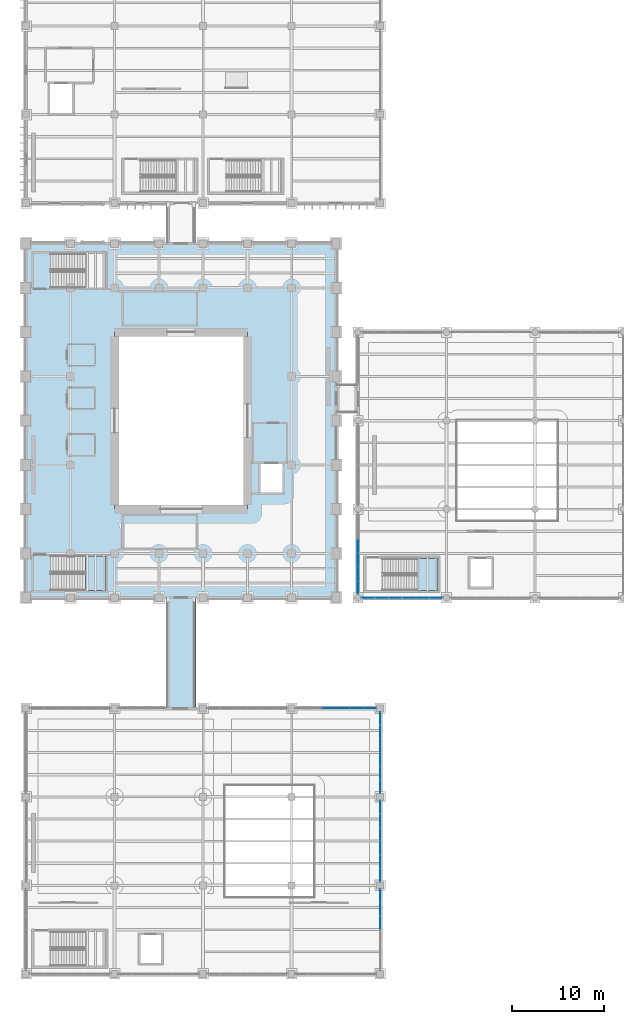
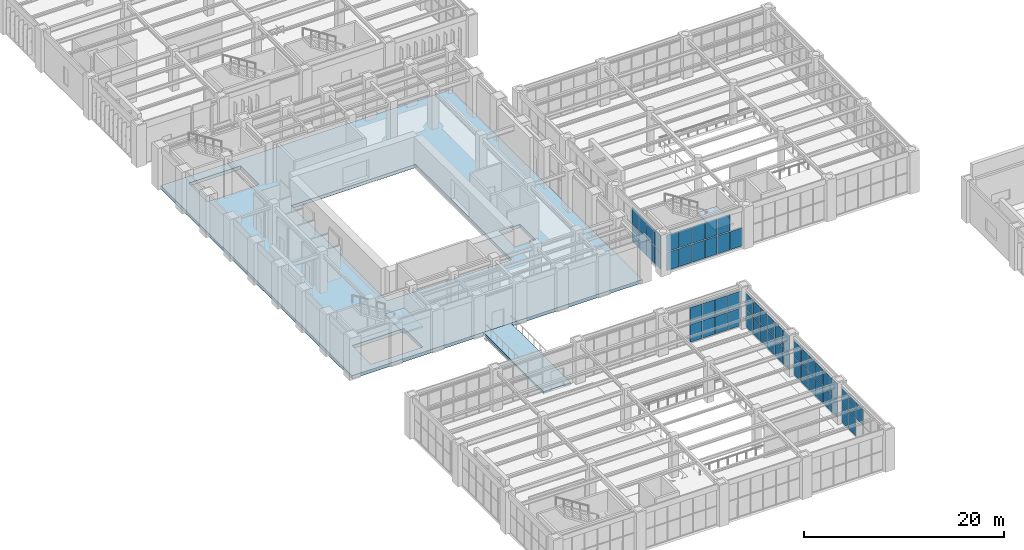
# One storey, part 124 of 174: 56 plates, 4 slabs, 8 elements without a shape of their own.
"""IFC4 building model written with IfcOpenShell, lengths in metres."""

from ifc_helpers import new_model, si_unit, direction, frame, origin, origin_2d, place, context, subcontext, project, spatial, polyline, rectangle, outline, extrude, material, layer, layer_set, type_object, element, aggregate, save


model = new_model("IFC4")

# Units and contexts
model_context = context("Model", 3, precision=1e-05, world=origin(), true_north=direction((0.0, 1.0)))
body_context = subcontext(model_context, "Body", "Model", "MODEL_VIEW")
ifc_project = project(units=[si_unit("LENGTHUNIT", "METRE"), si_unit("AREAUNIT", "SQUARE_METRE"), si_unit("VOLUMEUNIT", "CUBIC_METRE"), si_unit("PLANEANGLEUNIT", "RADIAN"), si_unit("MASSUNIT", "GRAM", prefix="KILO")], contexts=[model_context])

# Site, building, storey
site_placement = place(None, origin())
site = spatial("IfcSite", under=ifc_project, at=site_placement, CompositionType="ELEMENT")
building_placement = place(site_placement, origin())
building = spatial("IfcBuilding", under=site, at=building_placement, Name="Mavantir Sound Aquarium", CompositionType="ELEMENT")
storey_placement = place(building_placement, frame((0.0, 0.0, 5.39990234375)))
storey = spatial("IfcBuildingStorey", under=building, at=storey_placement, Name="L01", CompositionType="ELEMENT", Elevation=5.39990234375)

# Curtain wall, plates
ifc_material_1 = material(Name="Anodised Marine Aluminium and Low-E Glass", Category="aluminium")
curtain_wall_type_1 = type_object("IfcCurtainWallType", Name="CW-T15", PredefinedType="USERDEFINED", material=ifc_material_1)
curtain_wall_1_placement = place(storey_placement, origin())
curtain_wall_1 = element("IfcCurtainWall", 1, at=curtain_wall_1_placement, inside=storey, type_object=curtain_wall_type_1, Name="L01 unitised curtain wall CW-15 63", ObjectType="UNITISED GLAZING", PredefinedType="USERDEFINED")
ifc_material_2 = material(Name="Solar-Control Laminated Low-E Glass", Category="glass")
ifc_layer_1 = layer(ifc_material_2, 0.028076171875, Name="Solar-Control Laminated Low-E Glass")
ifc_layer_set_1 = layer_set([ifc_layer_1], Name="Solar-Control Laminated Low-E Glass")
plate_type_1 = type_object("IfcPlateType", Name="CW-PNL-28", PredefinedType="CURTAIN_PANEL", material=ifc_layer_set_1)
plate_1_placement = place(storey_placement, frame((36.0, 46.336181640625, 0.10302734375), z_axis=(0.0, 0.0, 1.0), x_axis=(0.0, -1.0, 0.0)))
plate_1 = element("IfcPlate", 2, at=plate_1_placement, type_object=plate_type_1, Name="CW-L01-063 glazed curtain panel 3.1", PredefinedType="CURTAIN_PANEL", context=body_context, shape_type="SweptSolid", body=[
    extrude(rectangle(XDim=1.42431640625, YDim=0.028076171875, at=origin_2d()), origin(), (0.0, 0.0, 1.0), 2.110595703125),
])
plate_2_placement = place(storey_placement, frame((36.0, 46.336181640625, 2.3095703125), z_axis=(0.0, 0.0, 1.0), x_axis=(0.0, -1.0, 0.0)))
plate_2 = element("IfcPlate", 3, at=plate_2_placement, type_object=plate_type_1, Name="CW-L01-063 glazed curtain panel 3.2", PredefinedType="CURTAIN_PANEL", context=body_context, shape_type="SweptSolid", body=[
    extrude(rectangle(XDim=1.42431640625, YDim=0.028076171875, at=origin_2d()), origin(), (0.0, 0.0, 1.0), 1.9365234375),
])
plate_3_placement = place(storey_placement, frame((36.0, 44.86376953125, 0.10302734375), z_axis=(0.0, 0.0, 1.0), x_axis=(0.0, -1.0, 0.0)))
plate_3 = element("IfcPlate", 4, at=plate_3_placement, type_object=plate_type_1, Name="CW-L01-063 glazed curtain panel 4.1", PredefinedType="CURTAIN_PANEL", context=body_context, shape_type="SweptSolid", body=[
    extrude(rectangle(XDim=1.42431640625, YDim=0.028076171875, at=origin_2d()), origin(), (0.0, 0.0, 1.0), 2.110595703125),
])
plate_4_placement = place(storey_placement, frame((36.0, 44.86376953125, 2.3095703125), z_axis=(0.0, 0.0, 1.0), x_axis=(0.0, -1.0, 0.0)))
plate_4 = element("IfcPlate", 5, at=plate_4_placement, type_object=plate_type_1, Name="CW-L01-063 glazed curtain panel 4.2", PredefinedType="CURTAIN_PANEL", context=body_context, shape_type="SweptSolid", body=[
    extrude(rectangle(XDim=1.42431640625, YDim=0.028076171875, at=origin_2d()), origin(), (0.0, 0.0, 1.0), 1.9365234375),
])
plate_5_placement = place(storey_placement, frame((36.0, 43.3916015625, 0.10302734375), z_axis=(0.0, 0.0, 1.0), x_axis=(0.0, -1.0, 0.0)))
plate_5 = element("IfcPlate", 6, at=plate_5_placement, type_object=plate_type_1, Name="CW-L01-063 glazed curtain panel 5.1", PredefinedType="CURTAIN_PANEL", context=body_context, shape_type="SweptSolid", body=[
    extrude(rectangle(XDim=1.42431640625, YDim=0.028076171875, at=origin_2d()), origin(), (0.0, 0.0, 1.0), 2.110595703125),
])
plate_6_placement = place(storey_placement, frame((36.0, 43.3916015625, 2.3095703125), z_axis=(0.0, 0.0, 1.0), x_axis=(0.0, -1.0, 0.0)))
plate_6 = element("IfcPlate", 7, at=plate_6_placement, type_object=plate_type_1, Name="CW-L01-063 glazed curtain panel 5.2", PredefinedType="CURTAIN_PANEL", context=body_context, shape_type="SweptSolid", body=[
    extrude(rectangle(XDim=1.42431640625, YDim=0.028076171875, at=origin_2d()), origin(), (0.0, 0.0, 1.0), 1.9365234375),
])
plate_7_placement = place(storey_placement, frame((36.0, 41.919189453125, 0.10302734375), z_axis=(0.0, 0.0, 1.0), x_axis=(0.0, -1.0, 0.0)))
plate_7 = element("IfcPlate", 8, at=plate_7_placement, type_object=plate_type_1, Name="CW-L01-063 glazed curtain panel 6.1", PredefinedType="CURTAIN_PANEL", context=body_context, shape_type="SweptSolid", body=[
    extrude(rectangle(XDim=1.42431640625, YDim=0.028076171875, at=origin_2d()), origin(), (0.0, 0.0, 1.0), 2.110595703125),
])
plate_8_placement = place(storey_placement, frame((36.0, 41.919189453125, 2.3095703125), z_axis=(0.0, 0.0, 1.0), x_axis=(0.0, -1.0, 0.0)))
plate_8 = element("IfcPlate", 9, at=plate_8_placement, type_object=plate_type_1, Name="CW-L01-063 glazed curtain panel 6.2", PredefinedType="CURTAIN_PANEL", context=body_context, shape_type="SweptSolid", body=[
    extrude(rectangle(XDim=1.42431640625, YDim=0.028076171875, at=origin_2d()), origin(), (0.0, 0.0, 1.0), 1.9365234375),
])
aggregate(curtain_wall_1, [plate_1, plate_2, plate_3, plate_4, plate_5, plate_6, plate_7, plate_8])

curtain_wall_type_2 = type_object("IfcCurtainWallType", Name="CW-T19", PredefinedType="USERDEFINED", material=ifc_material_1)
curtain_wall_2_placement = place(storey_placement, origin())
curtain_wall_2 = element("IfcCurtainWall", 10, at=curtain_wall_2_placement, inside=storey, type_object=curtain_wall_type_2, Name="L01 unitised curtain wall CW-19 67", ObjectType="UNITISED GLAZING", PredefinedType="USERDEFINED")
plate_9_placement = place(storey_placement, frame((38.39990234375, 5.5361328125, 2.3095703125), z_axis=(0.0, 0.0, 1.0), x_axis=(0.0, 1.0, 0.0)))
plate_9 = element("IfcPlate", 11, at=plate_9_placement, type_object=plate_type_1, Name="CW-L01-067 glazed curtain panel 4.2", PredefinedType="CURTAIN_PANEL", context=body_context, shape_type="SweptSolid", body=[
    extrude(rectangle(XDim=1.42431640625, YDim=0.028076171875, at=origin_2d()), origin(), (0.0, 0.0, 1.0), 1.9365234375),
])
plate_10_placement = place(storey_placement, frame((38.39990234375, 7.008544921875, 0.10302734375), z_axis=(0.0, 0.0, 1.0), x_axis=(0.0, 1.0, 0.0)))
plate_10 = element("IfcPlate", 12, at=plate_10_placement, type_object=plate_type_1, Name="CW-L01-067 glazed curtain panel 5.1", PredefinedType="CURTAIN_PANEL", context=body_context, shape_type="SweptSolid", body=[
    extrude(rectangle(XDim=1.42431640625, YDim=0.028076171875, at=origin_2d()), origin(), (0.0, 0.0, 1.0), 2.110595703125),
])
plate_11_placement = place(storey_placement, frame((38.39990234375, 7.008544921875, 2.3095703125), z_axis=(0.0, 0.0, 1.0), x_axis=(0.0, 1.0, 0.0)))
plate_11 = element("IfcPlate", 13, at=plate_11_placement, type_object=plate_type_1, Name="CW-L01-067 glazed curtain panel 5.2", PredefinedType="CURTAIN_PANEL", context=body_context, shape_type="SweptSolid", body=[
    extrude(rectangle(XDim=1.42431640625, YDim=0.028076171875, at=origin_2d()), origin(), (0.0, 0.0, 1.0), 1.9365234375),
])
plate_12_placement = place(storey_placement, frame((38.39990234375, 8.480712890625, 0.10302734375), z_axis=(0.0, 0.0, 1.0), x_axis=(0.0, 1.0, 0.0)))
plate_12 = element("IfcPlate", 14, at=plate_12_placement, type_object=plate_type_1, Name="CW-L01-067 glazed curtain panel 6.1", PredefinedType="CURTAIN_PANEL", context=body_context, shape_type="SweptSolid", body=[
    extrude(rectangle(XDim=1.42431640625, YDim=0.028076171875, at=origin_2d()), origin(), (0.0, 0.0, 1.0), 2.110595703125),
])
plate_13_placement = place(storey_placement, frame((38.39990234375, 8.480712890625, 2.3095703125), z_axis=(0.0, 0.0, 1.0), x_axis=(0.0, 1.0, 0.0)))
plate_13 = element("IfcPlate", 15, at=plate_13_placement, type_object=plate_type_1, Name="CW-L01-067 glazed curtain panel 6.2", PredefinedType="CURTAIN_PANEL", context=body_context, shape_type="SweptSolid", body=[
    extrude(rectangle(XDim=1.42431640625, YDim=0.028076171875, at=origin_2d()), origin(), (0.0, 0.0, 1.0), 1.9365234375),
])
aggregate(curtain_wall_2, [plate_9, plate_10, plate_11, plate_12, plate_13])

curtain_wall_type_3 = type_object("IfcCurtainWallType", Name="CW-T21", PredefinedType="USERDEFINED", material=ifc_material_1)
curtain_wall_3_placement = place(storey_placement, origin())
curtain_wall_3 = element("IfcCurtainWall", 16, at=curtain_wall_3_placement, inside=storey, type_object=curtain_wall_type_3, Name="L01 unitised curtain wall CW-21 69", ObjectType="UNITISED GLAZING", PredefinedType="USERDEFINED")
plate_14_placement = place(storey_placement, frame((38.39990234375, 20.319091796875, 0.10302734375), z_axis=(0.0, 0.0, 1.0), x_axis=(0.0, 1.0, 0.0)))
plate_14 = element("IfcPlate", 17, at=plate_14_placement, type_object=plate_type_1, Name="CW-L01-069 glazed curtain panel 1.1", PredefinedType="CURTAIN_PANEL", context=body_context, shape_type="SweptSolid", body=[
    extrude(rectangle(XDim=1.42431640625, YDim=0.028076171875, at=origin_2d()), origin(), (0.0, 0.0, 1.0), 2.10009765625),
])
plate_15_placement = place(storey_placement, frame((38.39990234375, 20.319091796875, 2.29931640625), z_axis=(0.0, 0.0, 1.0), x_axis=(0.0, 1.0, 0.0)))
plate_15 = element("IfcPlate", 18, at=plate_15_placement, type_object=plate_type_1, Name="CW-L01-069 glazed curtain panel 1.2", PredefinedType="CURTAIN_PANEL", context=body_context, shape_type="SweptSolid", body=[
    extrude(rectangle(XDim=1.42431640625, YDim=0.028076171875, at=origin_2d()), origin(), (0.0, 0.0, 1.0), 1.927001953125),
])
plate_16_placement = place(storey_placement, frame((38.39990234375, 21.79150390625, 0.10302734375), z_axis=(0.0, 0.0, 1.0), x_axis=(0.0, 1.0, 0.0)))
plate_16 = element("IfcPlate", 19, at=plate_16_placement, type_object=plate_type_1, Name="CW-L01-069 glazed curtain panel 2.1", PredefinedType="CURTAIN_PANEL", context=body_context, shape_type="SweptSolid", body=[
    extrude(rectangle(XDim=1.42431640625, YDim=0.028076171875, at=origin_2d()), origin(), (0.0, 0.0, 1.0), 2.10009765625),
])
plate_17_placement = place(storey_placement, frame((38.39990234375, 21.79150390625, 2.29931640625), z_axis=(0.0, 0.0, 1.0), x_axis=(0.0, 1.0, 0.0)))
plate_17 = element("IfcPlate", 20, at=plate_17_placement, type_object=plate_type_1, Name="CW-L01-069 glazed curtain panel 2.2", PredefinedType="CURTAIN_PANEL", context=body_context, shape_type="SweptSolid", body=[
    extrude(rectangle(XDim=1.42431640625, YDim=0.028076171875, at=origin_2d()), origin(), (0.0, 0.0, 1.0), 1.927001953125),
])
plate_18_placement = place(storey_placement, frame((38.39990234375, 23.263916015625, 0.10302734375), z_axis=(0.0, 0.0, 1.0), x_axis=(0.0, 1.0, 0.0)))
plate_18 = element("IfcPlate", 21, at=plate_18_placement, type_object=plate_type_1, Name="CW-L01-069 glazed curtain panel 3.1", PredefinedType="CURTAIN_PANEL", context=body_context, shape_type="SweptSolid", body=[
    extrude(rectangle(XDim=1.42431640625, YDim=0.028076171875, at=origin_2d()), origin(), (0.0, 0.0, 1.0), 2.10009765625),
])
plate_19_placement = place(storey_placement, frame((38.39990234375, 23.263916015625, 2.29931640625), z_axis=(0.0, 0.0, 1.0), x_axis=(0.0, 1.0, 0.0)))
plate_19 = element("IfcPlate", 22, at=plate_19_placement, type_object=plate_type_1, Name="CW-L01-069 glazed curtain panel 3.2", PredefinedType="CURTAIN_PANEL", context=body_context, shape_type="SweptSolid", body=[
    extrude(rectangle(XDim=1.42431640625, YDim=0.028076171875, at=origin_2d()), origin(), (0.0, 0.0, 1.0), 1.927001953125),
])
plate_20_placement = place(storey_placement, frame((38.39990234375, 24.736083984375, 0.10302734375), z_axis=(0.0, 0.0, 1.0), x_axis=(0.0, 1.0, 0.0)))
plate_20 = element("IfcPlate", 23, at=plate_20_placement, type_object=plate_type_1, Name="CW-L01-069 glazed curtain panel 4.1", PredefinedType="CURTAIN_PANEL", context=body_context, shape_type="SweptSolid", body=[
    extrude(rectangle(XDim=1.42431640625, YDim=0.028076171875, at=origin_2d()), origin(), (0.0, 0.0, 1.0), 2.10009765625),
])
plate_21_placement = place(storey_placement, frame((38.39990234375, 24.736083984375, 2.29931640625), z_axis=(0.0, 0.0, 1.0), x_axis=(0.0, 1.0, 0.0)))
plate_21 = element("IfcPlate", 24, at=plate_21_placement, type_object=plate_type_1, Name="CW-L01-069 glazed curtain panel 4.2", PredefinedType="CURTAIN_PANEL", context=body_context, shape_type="SweptSolid", body=[
    extrude(rectangle(XDim=1.42431640625, YDim=0.028076171875, at=origin_2d()), origin(), (0.0, 0.0, 1.0), 1.927001953125),
])
plate_22_placement = place(storey_placement, frame((38.39990234375, 26.20849609375, 0.10302734375), z_axis=(0.0, 0.0, 1.0), x_axis=(0.0, 1.0, 0.0)))
plate_22 = element("IfcPlate", 25, at=plate_22_placement, type_object=plate_type_1, Name="CW-L01-069 glazed curtain panel 5.1", PredefinedType="CURTAIN_PANEL", context=body_context, shape_type="SweptSolid", body=[
    extrude(rectangle(XDim=1.42431640625, YDim=0.028076171875, at=origin_2d()), origin(), (0.0, 0.0, 1.0), 2.10009765625),
])
plate_23_placement = place(storey_placement, frame((38.39990234375, 26.20849609375, 2.29931640625), z_axis=(0.0, 0.0, 1.0), x_axis=(0.0, 1.0, 0.0)))
plate_23 = element("IfcPlate", 26, at=plate_23_placement, type_object=plate_type_1, Name="CW-L01-069 glazed curtain panel 5.2", PredefinedType="CURTAIN_PANEL", context=body_context, shape_type="SweptSolid", body=[
    extrude(rectangle(XDim=1.42431640625, YDim=0.028076171875, at=origin_2d()), origin(), (0.0, 0.0, 1.0), 1.927001953125),
])
plate_24_placement = place(storey_placement, frame((38.39990234375, 27.680908203125, 0.10302734375), z_axis=(0.0, 0.0, 1.0), x_axis=(0.0, 1.0, 0.0)))
plate_24 = element("IfcPlate", 27, at=plate_24_placement, type_object=plate_type_1, Name="CW-L01-069 glazed curtain panel 6.1", PredefinedType="CURTAIN_PANEL", context=body_context, shape_type="SweptSolid", body=[
    extrude(rectangle(XDim=1.42431640625, YDim=0.028076171875, at=origin_2d()), origin(), (0.0, 0.0, 1.0), 2.10009765625),
])
plate_25_placement = place(storey_placement, frame((38.39990234375, 27.680908203125, 2.29931640625), z_axis=(0.0, 0.0, 1.0), x_axis=(0.0, 1.0, 0.0)))
plate_25 = element("IfcPlate", 28, at=plate_25_placement, type_object=plate_type_1, Name="CW-L01-069 glazed curtain panel 6.2", PredefinedType="CURTAIN_PANEL", context=body_context, shape_type="SweptSolid", body=[
    extrude(rectangle(XDim=1.42431640625, YDim=0.028076171875, at=origin_2d()), origin(), (0.0, 0.0, 1.0), 1.927001953125),
])
aggregate(curtain_wall_3, [plate_14, plate_15, plate_16, plate_17, plate_18, plate_19, plate_20, plate_21, plate_22, plate_23, plate_24, plate_25])

curtain_wall_type_4 = type_object("IfcCurtainWallType", Name="CW-T16", PredefinedType="USERDEFINED", material=ifc_material_1)
curtain_wall_4_placement = place(storey_placement, origin())
curtain_wall_4 = element("IfcCurtainWall", 29, at=curtain_wall_4_placement, inside=storey, type_object=curtain_wall_type_4, Name="L01 unitised curtain wall CW-16 64", ObjectType="UNITISED GLAZING", PredefinedType="USERDEFINED")
ifc_layer_2 = layer(ifc_material_2, 0.031982421875, Name="Solar-Control Laminated Low-E Glass")
ifc_layer_set_2 = layer_set([ifc_layer_2], Name="Solar-Control Laminated Low-E Glass")
plate_type_2 = type_object("IfcPlateType", Name="CW-PNL-32", PredefinedType="CURTAIN_PANEL", material=ifc_layer_set_2)
plate_26_placement = place(storey_placement, frame((37.119140625, 40.800048828125, 0.103271484375), z_axis=(0.0, 0.0, 1.0), x_axis=(1.0, 0.0, 0.0)))
plate_26 = element("IfcPlate", 30, at=plate_26_placement, type_object=plate_type_2, Name="CW-L01-064 glazed curtain panel 1.1", PredefinedType="CURTAIN_PANEL", context=body_context, shape_type="SweptSolid", body=[
    extrude(rectangle(XDim=1.42431640625, YDim=0.031982421875, at=origin_2d()), origin(), (0.0, 0.0, 1.0), 2.2216796875),
])
plate_27_placement = place(storey_placement, frame((37.119140625, 40.800048828125, 2.4208984375), z_axis=(0.0, 0.0, 1.0), x_axis=(1.0, 0.0, 0.0)))
plate_27 = element("IfcPlate", 31, at=plate_27_placement, type_object=plate_type_2, Name="CW-L01-064 glazed curtain panel 1.2", PredefinedType="CURTAIN_PANEL", context=body_context, shape_type="SweptSolid", body=[
    extrude(rectangle(XDim=1.42431640625, YDim=0.031982421875, at=origin_2d()), origin(), (0.0, 0.0, 1.0), 2.039306640625),
])
plate_28_placement = place(storey_placement, frame((38.591552734375, 40.800048828125, 0.103271484375), z_axis=(0.0, 0.0, 1.0), x_axis=(1.0, 0.0, 0.0)))
plate_28 = element("IfcPlate", 32, at=plate_28_placement, type_object=plate_type_2, Name="CW-L01-064 glazed curtain panel 2.1", PredefinedType="CURTAIN_PANEL", context=body_context, shape_type="SweptSolid", body=[
    extrude(rectangle(XDim=1.42431640625, YDim=0.031982421875, at=origin_2d()), origin(), (0.0, 0.0, 1.0), 2.2216796875),
])
plate_29_placement = place(storey_placement, frame((38.591552734375, 40.800048828125, 2.4208984375), z_axis=(0.0, 0.0, 1.0), x_axis=(1.0, 0.0, 0.0)))
plate_29 = element("IfcPlate", 33, at=plate_29_placement, type_object=plate_type_2, Name="CW-L01-064 glazed curtain panel 2.2", PredefinedType="CURTAIN_PANEL", context=body_context, shape_type="SweptSolid", body=[
    extrude(rectangle(XDim=1.42431640625, YDim=0.031982421875, at=origin_2d()), origin(), (0.0, 0.0, 1.0), 2.039306640625),
])
plate_30_placement = place(storey_placement, frame((40.063720703125, 40.800048828125, 0.103271484375), z_axis=(0.0, 0.0, 1.0), x_axis=(1.0, 0.0, 0.0)))
plate_30 = element("IfcPlate", 34, at=plate_30_placement, type_object=plate_type_2, Name="CW-L01-064 glazed curtain panel 3.1", PredefinedType="CURTAIN_PANEL", context=body_context, shape_type="SweptSolid", body=[
    extrude(rectangle(XDim=1.42431640625, YDim=0.031982421875, at=origin_2d()), origin(), (0.0, 0.0, 1.0), 2.2216796875),
])
plate_31_placement = place(storey_placement, frame((40.063720703125, 40.800048828125, 2.4208984375), z_axis=(0.0, 0.0, 1.0), x_axis=(1.0, 0.0, 0.0)))
plate_31 = element("IfcPlate", 35, at=plate_31_placement, type_object=plate_type_2, Name="CW-L01-064 glazed curtain panel 3.2", PredefinedType="CURTAIN_PANEL", context=body_context, shape_type="SweptSolid", body=[
    extrude(rectangle(XDim=1.42431640625, YDim=0.031982421875, at=origin_2d()), origin(), (0.0, 0.0, 1.0), 2.039306640625),
])
plate_32_placement = place(storey_placement, frame((41.5361328125, 40.800048828125, 0.103271484375), z_axis=(0.0, 0.0, 1.0), x_axis=(1.0, 0.0, 0.0)))
plate_32 = element("IfcPlate", 36, at=plate_32_placement, type_object=plate_type_2, Name="CW-L01-064 glazed curtain panel 4.1", PredefinedType="CURTAIN_PANEL", context=body_context, shape_type="SweptSolid", body=[
    extrude(rectangle(XDim=1.42431640625, YDim=0.031982421875, at=origin_2d()), origin(), (0.0, 0.0, 1.0), 2.2216796875),
])
plate_33_placement = place(storey_placement, frame((41.5361328125, 40.800048828125, 2.4208984375), z_axis=(0.0, 0.0, 1.0), x_axis=(1.0, 0.0, 0.0)))
plate_33 = element("IfcPlate", 37, at=plate_33_placement, type_object=plate_type_2, Name="CW-L01-064 glazed curtain panel 4.2", PredefinedType="CURTAIN_PANEL", context=body_context, shape_type="SweptSolid", body=[
    extrude(rectangle(XDim=1.42431640625, YDim=0.031982421875, at=origin_2d()), origin(), (0.0, 0.0, 1.0), 2.039306640625),
])
plate_34_placement = place(storey_placement, frame((43.008544921875, 40.800048828125, 0.103271484375), z_axis=(0.0, 0.0, 1.0), x_axis=(1.0, 0.0, 0.0)))
plate_34 = element("IfcPlate", 38, at=plate_34_placement, type_object=plate_type_2, Name="CW-L01-064 glazed curtain panel 5.1", PredefinedType="CURTAIN_PANEL", context=body_context, shape_type="SweptSolid", body=[
    extrude(rectangle(XDim=1.42431640625, YDim=0.031982421875, at=origin_2d()), origin(), (0.0, 0.0, 1.0), 2.2216796875),
])
plate_35_placement = place(storey_placement, frame((43.008544921875, 40.800048828125, 2.4208984375), z_axis=(0.0, 0.0, 1.0), x_axis=(1.0, 0.0, 0.0)))
plate_35 = element("IfcPlate", 39, at=plate_35_placement, type_object=plate_type_2, Name="CW-L01-064 glazed curtain panel 5.2", PredefinedType="CURTAIN_PANEL", context=body_context, shape_type="SweptSolid", body=[
    extrude(rectangle(XDim=1.42431640625, YDim=0.031982421875, at=origin_2d()), origin(), (0.0, 0.0, 1.0), 2.039306640625),
])
plate_36_placement = place(storey_placement, frame((44.480712890625, 40.800048828125, 0.103271484375), z_axis=(0.0, 0.0, 1.0), x_axis=(1.0, 0.0, 0.0)))
plate_36 = element("IfcPlate", 40, at=plate_36_placement, type_object=plate_type_2, Name="CW-L01-064 glazed curtain panel 6.1", PredefinedType="CURTAIN_PANEL", context=body_context, shape_type="SweptSolid", body=[
    extrude(rectangle(XDim=1.42431640625, YDim=0.031982421875, at=origin_2d()), origin(), (0.0, 0.0, 1.0), 2.2216796875),
])
aggregate(curtain_wall_4, [plate_26, plate_27, plate_28, plate_29, plate_30, plate_31, plate_32, plate_33, plate_34, plate_35, plate_36])

curtain_wall_type_5 = type_object("IfcCurtainWallType", Name="CW-T20", PredefinedType="USERDEFINED", material=ifc_material_1)
curtain_wall_5_placement = place(storey_placement, origin())
curtain_wall_5 = element("IfcCurtainWall", 41, at=curtain_wall_5_placement, inside=storey, type_object=curtain_wall_type_5, Name="L01 unitised curtain wall CW-20 68", ObjectType="UNITISED GLAZING", PredefinedType="USERDEFINED")
plate_37_placement = place(storey_placement, frame((38.39990234375, 10.71923828125, 0.10302734375), z_axis=(0.0, 0.0, 1.0), x_axis=(0.0, 1.0, 0.0)))
plate_37 = element("IfcPlate", 42, at=plate_37_placement, type_object=plate_type_2, Name="CW-L01-068 glazed curtain panel 1.1", PredefinedType="CURTAIN_PANEL", context=body_context, shape_type="SweptSolid", body=[
    extrude(rectangle(XDim=1.42431640625, YDim=0.031982421875, at=origin_2d()), origin(), (0.0, 0.0, 1.0), 2.110595703125),
])
plate_38_placement = place(storey_placement, frame((38.39990234375, 10.71923828125, 2.3095703125), z_axis=(0.0, 0.0, 1.0), x_axis=(0.0, 1.0, 0.0)))
plate_38 = element("IfcPlate", 43, at=plate_38_placement, type_object=plate_type_2, Name="CW-L01-068 glazed curtain panel 1.2", PredefinedType="CURTAIN_PANEL", context=body_context, shape_type="SweptSolid", body=[
    extrude(rectangle(XDim=1.42431640625, YDim=0.031982421875, at=origin_2d()), origin(), (0.0, 0.0, 1.0), 1.9365234375),
])
plate_39_placement = place(storey_placement, frame((38.39990234375, 12.19140625, 0.10302734375), z_axis=(0.0, 0.0, 1.0), x_axis=(0.0, 1.0, 0.0)))
plate_39 = element("IfcPlate", 44, at=plate_39_placement, type_object=plate_type_2, Name="CW-L01-068 glazed curtain panel 2.1", PredefinedType="CURTAIN_PANEL", context=body_context, shape_type="SweptSolid", body=[
    extrude(rectangle(XDim=1.42431640625, YDim=0.031982421875, at=origin_2d()), origin(), (0.0, 0.0, 1.0), 2.110595703125),
])
plate_40_placement = place(storey_placement, frame((38.39990234375, 12.19140625, 2.3095703125), z_axis=(0.0, 0.0, 1.0), x_axis=(0.0, 1.0, 0.0)))
plate_40 = element("IfcPlate", 45, at=plate_40_placement, type_object=plate_type_2, Name="CW-L01-068 glazed curtain panel 2.2", PredefinedType="CURTAIN_PANEL", context=body_context, shape_type="SweptSolid", body=[
    extrude(rectangle(XDim=1.42431640625, YDim=0.031982421875, at=origin_2d()), origin(), (0.0, 0.0, 1.0), 1.9365234375),
])
plate_41_placement = place(storey_placement, frame((38.39990234375, 13.663818359375, 0.10302734375), z_axis=(0.0, 0.0, 1.0), x_axis=(0.0, 1.0, 0.0)))
plate_41 = element("IfcPlate", 46, at=plate_41_placement, type_object=plate_type_2, Name="CW-L01-068 glazed curtain panel 3.1", PredefinedType="CURTAIN_PANEL", context=body_context, shape_type="SweptSolid", body=[
    extrude(rectangle(XDim=1.42431640625, YDim=0.031982421875, at=origin_2d()), origin(), (0.0, 0.0, 1.0), 2.110595703125),
])
plate_42_placement = place(storey_placement, frame((38.39990234375, 13.663818359375, 2.3095703125), z_axis=(0.0, 0.0, 1.0), x_axis=(0.0, 1.0, 0.0)))
plate_42 = element("IfcPlate", 47, at=plate_42_placement, type_object=plate_type_2, Name="CW-L01-068 glazed curtain panel 3.2", PredefinedType="CURTAIN_PANEL", context=body_context, shape_type="SweptSolid", body=[
    extrude(rectangle(XDim=1.42431640625, YDim=0.031982421875, at=origin_2d()), origin(), (0.0, 0.0, 1.0), 1.9365234375),
])
plate_43_placement = place(storey_placement, frame((38.39990234375, 15.13623046875, 0.10302734375), z_axis=(0.0, 0.0, 1.0), x_axis=(0.0, 1.0, 0.0)))
plate_43 = element("IfcPlate", 48, at=plate_43_placement, type_object=plate_type_2, Name="CW-L01-068 glazed curtain panel 4.1", PredefinedType="CURTAIN_PANEL", context=body_context, shape_type="SweptSolid", body=[
    extrude(rectangle(XDim=1.42431640625, YDim=0.031982421875, at=origin_2d()), origin(), (0.0, 0.0, 1.0), 2.110595703125),
])
plate_44_placement = place(storey_placement, frame((38.39990234375, 15.13623046875, 2.3095703125), z_axis=(0.0, 0.0, 1.0), x_axis=(0.0, 1.0, 0.0)))
plate_44 = element("IfcPlate", 49, at=plate_44_placement, type_object=plate_type_2, Name="CW-L01-068 glazed curtain panel 4.2", PredefinedType="CURTAIN_PANEL", context=body_context, shape_type="SweptSolid", body=[
    extrude(rectangle(XDim=1.42431640625, YDim=0.031982421875, at=origin_2d()), origin(), (0.0, 0.0, 1.0), 1.9365234375),
])
plate_45_placement = place(storey_placement, frame((38.39990234375, 16.6083984375, 0.10302734375), z_axis=(0.0, 0.0, 1.0), x_axis=(0.0, 1.0, 0.0)))
plate_45 = element("IfcPlate", 50, at=plate_45_placement, type_object=plate_type_2, Name="CW-L01-068 glazed curtain panel 5.1", PredefinedType="CURTAIN_PANEL", context=body_context, shape_type="SweptSolid", body=[
    extrude(rectangle(XDim=1.42431640625, YDim=0.031982421875, at=origin_2d()), origin(), (0.0, 0.0, 1.0), 2.110595703125),
])
plate_46_placement = place(storey_placement, frame((38.39990234375, 16.6083984375, 2.3095703125), z_axis=(0.0, 0.0, 1.0), x_axis=(0.0, 1.0, 0.0)))
plate_46 = element("IfcPlate", 51, at=plate_46_placement, type_object=plate_type_2, Name="CW-L01-068 glazed curtain panel 5.2", PredefinedType="CURTAIN_PANEL", context=body_context, shape_type="SweptSolid", body=[
    extrude(rectangle(XDim=1.42431640625, YDim=0.031982421875, at=origin_2d()), origin(), (0.0, 0.0, 1.0), 1.9365234375),
])
plate_47_placement = place(storey_placement, frame((38.39990234375, 18.080810546875, 0.10302734375), z_axis=(0.0, 0.0, 1.0), x_axis=(0.0, 1.0, 0.0)))
plate_47 = element("IfcPlate", 52, at=plate_47_placement, type_object=plate_type_2, Name="CW-L01-068 glazed curtain panel 6.1", PredefinedType="CURTAIN_PANEL", context=body_context, shape_type="SweptSolid", body=[
    extrude(rectangle(XDim=1.42431640625, YDim=0.031982421875, at=origin_2d()), origin(), (0.0, 0.0, 1.0), 2.110595703125),
])
plate_48_placement = place(storey_placement, frame((38.39990234375, 18.080810546875, 2.3095703125), z_axis=(0.0, 0.0, 1.0), x_axis=(0.0, 1.0, 0.0)))
plate_48 = element("IfcPlate", 53, at=plate_48_placement, type_object=plate_type_2, Name="CW-L01-068 glazed curtain panel 6.2", PredefinedType="CURTAIN_PANEL", context=body_context, shape_type="SweptSolid", body=[
    extrude(rectangle(XDim=1.42431640625, YDim=0.031982421875, at=origin_2d()), origin(), (0.0, 0.0, 1.0), 1.9365234375),
])
aggregate(curtain_wall_5, [plate_37, plate_38, plate_39, plate_40, plate_41, plate_42, plate_43, plate_44, plate_45, plate_46, plate_47, plate_48])

curtain_wall_type_6 = type_object("IfcCurtainWallType", Name="CW-T22", PredefinedType="USERDEFINED", material=ifc_material_1)
curtain_wall_6_placement = place(storey_placement, origin())
curtain_wall_6 = element("IfcCurtainWall", 54, at=curtain_wall_6_placement, inside=storey, type_object=curtain_wall_type_6, Name="L01 unitised curtain wall CW-22 70", ObjectType="UNITISED GLAZING", PredefinedType="USERDEFINED")
plate_49_placement = place(storey_placement, frame((37.28076171875, 28.800048828125, 0.10302734375), z_axis=(0.0, 0.0, 1.0), x_axis=(-1.0, 0.0, 0.0)))
plate_49 = element("IfcPlate", 55, at=plate_49_placement, type_object=plate_type_2, Name="CW-L01-070 glazed curtain panel 1.1", PredefinedType="CURTAIN_PANEL", context=body_context, shape_type="SweptSolid", body=[
    extrude(rectangle(XDim=1.42431640625, YDim=0.031982421875, at=origin_2d()), origin(), (0.0, 0.0, 1.0), 2.15673828125),
])
plate_50_placement = place(storey_placement, frame((37.28076171875, 28.800048828125, 2.35595703125), z_axis=(0.0, 0.0, 1.0), x_axis=(-1.0, 0.0, 0.0)))
plate_50 = element("IfcPlate", 56, at=plate_50_placement, type_object=plate_type_2, Name="CW-L01-070 glazed curtain panel 1.2", PredefinedType="CURTAIN_PANEL", context=body_context, shape_type="SweptSolid", body=[
    extrude(rectangle(XDim=1.42431640625, YDim=0.031982421875, at=origin_2d()), origin(), (0.0, 0.0, 1.0), 1.979248046875),
])
plate_51_placement = place(storey_placement, frame((35.80859375, 28.800048828125, 0.10302734375), z_axis=(0.0, 0.0, 1.0), x_axis=(-1.0, 0.0, 0.0)))
plate_51 = element("IfcPlate", 57, at=plate_51_placement, type_object=plate_type_2, Name="CW-L01-070 glazed curtain panel 2.1", PredefinedType="CURTAIN_PANEL", context=body_context, shape_type="SweptSolid", body=[
    extrude(rectangle(XDim=1.42431640625, YDim=0.031982421875, at=origin_2d()), origin(), (0.0, 0.0, 1.0), 2.15673828125),
])
plate_52_placement = place(storey_placement, frame((35.80859375, 28.800048828125, 2.35595703125), z_axis=(0.0, 0.0, 1.0), x_axis=(-1.0, 0.0, 0.0)))
plate_52 = element("IfcPlate", 58, at=plate_52_placement, type_object=plate_type_2, Name="CW-L01-070 glazed curtain panel 2.2", PredefinedType="CURTAIN_PANEL", context=body_context, shape_type="SweptSolid", body=[
    extrude(rectangle(XDim=1.42431640625, YDim=0.031982421875, at=origin_2d()), origin(), (0.0, 0.0, 1.0), 1.979248046875),
])
plate_53_placement = place(storey_placement, frame((34.336181640625, 28.800048828125, 0.10302734375), z_axis=(0.0, 0.0, 1.0), x_axis=(-1.0, 0.0, 0.0)))
plate_53 = element("IfcPlate", 59, at=plate_53_placement, type_object=plate_type_2, Name="CW-L01-070 glazed curtain panel 3.1", PredefinedType="CURTAIN_PANEL", context=body_context, shape_type="SweptSolid", body=[
    extrude(rectangle(XDim=1.42431640625, YDim=0.031982421875, at=origin_2d()), origin(), (0.0, 0.0, 1.0), 2.15673828125),
])
plate_54_placement = place(storey_placement, frame((34.336181640625, 28.800048828125, 2.35595703125), z_axis=(0.0, 0.0, 1.0), x_axis=(-1.0, 0.0, 0.0)))
plate_54 = element("IfcPlate", 60, at=plate_54_placement, type_object=plate_type_2, Name="CW-L01-070 glazed curtain panel 3.2", PredefinedType="CURTAIN_PANEL", context=body_context, shape_type="SweptSolid", body=[
    extrude(rectangle(XDim=1.42431640625, YDim=0.031982421875, at=origin_2d()), origin(), (0.0, 0.0, 1.0), 1.979248046875),
])
plate_55_placement = place(storey_placement, frame((32.86376953125, 28.800048828125, 0.10302734375), z_axis=(0.0, 0.0, 1.0), x_axis=(-1.0, 0.0, 0.0)))
plate_55 = element("IfcPlate", 61, at=plate_55_placement, type_object=plate_type_2, Name="CW-L01-070 glazed curtain panel 4.1", PredefinedType="CURTAIN_PANEL", context=body_context, shape_type="SweptSolid", body=[
    extrude(rectangle(XDim=1.42431640625, YDim=0.031982421875, at=origin_2d()), origin(), (0.0, 0.0, 1.0), 2.15673828125),
])
plate_56_placement = place(storey_placement, frame((32.86376953125, 28.800048828125, 2.35595703125), z_axis=(0.0, 0.0, 1.0), x_axis=(-1.0, 0.0, 0.0)))
plate_56 = element("IfcPlate", 62, at=plate_56_placement, type_object=plate_type_2, Name="CW-L01-070 glazed curtain panel 4.2", PredefinedType="CURTAIN_PANEL", context=body_context, shape_type="SweptSolid", body=[
    extrude(rectangle(XDim=1.42431640625, YDim=0.031982421875, at=origin_2d()), origin(), (0.0, 0.0, 1.0), 1.979248046875),
])
aggregate(curtain_wall_6, [plate_49, plate_50, plate_51, plate_52, plate_53, plate_54, plate_55, plate_56])

# Slabs
ifc_material_3 = material(Name="Concrete C40/50", Category="concrete")
ifc_layer_3 = layer(ifc_material_3, 0.280029296875, Name="Concrete C40/50")
ifc_layer_set_3 = layer_set([ifc_layer_3], Name="Concrete C40/50")
slab_type_1 = type_object("IfcSlabType", Name="SLB-BRS-01", PredefinedType="FLOOR", material=ifc_layer_set_3)
slab_1_placement = place(storey_placement, frame((0.0, 0.0, -0.27978515625)))
element("IfcSlab", 63, at=slab_1_placement, inside=storey, type_object=slab_type_1, Name="L01 outdoor bridge slab BRS-01", PredefinedType="FLOOR", context=body_context, shape_type="SweptSolid", body=[
    extrude(outline(polyline([(15.199951171875, 28.800048828125), (18.39990234375, 28.800048828125), (18.39990234375, 40.800048828125), (15.199951171875, 40.800048828125), (15.199951171875, 28.800048828125)])), origin(), (0.0, 0.0, 1.0), 0.27978515625),
])
ifc_material_4 = material(Name="Concrete C45/55", Category="concrete")
ifc_layer_4 = layer(ifc_material_4, 0.39990234375, Name="Concrete C45/55")
ifc_layer_set_4 = layer_set([ifc_layer_4], Name="Concrete C45/55")
slab_type_2 = type_object("IfcSlabType", Name="SLB-FS-01", PredefinedType="FLOOR", material=ifc_layer_set_4)
slab_2_placement = place(storey_placement, frame((0.0, 0.0, -0.39990234375)))
element("IfcSlab", 64, at=slab_2_placement, inside=storey, type_object=slab_type_2, Name="L01 structural slab FS-01 (V1)", PredefinedType="FLOOR", context=body_context, shape_type="SweptSolid", body=[
    extrude(outline(polyline([(33.60009765625, 40.800048828125), (33.60009765625, 79.199951171875), (0.0, 79.199951171875), (0.0, 40.800048828125), (33.60009765625, 40.800048828125)]), holes=[polyline([(9.60009765625, 50.39990234375), (24.0, 50.39990234375), (24.0, 69.60009765625), (9.60009765625, 69.60009765625), (9.60009765625, 50.39990234375)]), polyline([(2.64990234375, 41.60009765625), (8.64990234375, 41.60009765625), (8.64990234375, 45.35009765625), (2.64990234375, 45.35009765625), (2.64990234375, 41.60009765625)]), polyline([(2.64990234375, 74.39990234375), (8.64990234375, 74.39990234375), (8.64990234375, 78.14990234375), (2.64990234375, 78.14990234375), (2.64990234375, 74.39990234375)]), polyline([(25.39990234375, 52.199951171875), (27.800048828125, 52.199951171875), (27.800048828125, 55.300048828125), (25.39990234375, 55.300048828125), (25.39990234375, 52.199951171875)])]), origin(), (0.0, 0.0, 1.0), 0.39990234375),
])

# Stair, slab
stair_type_1 = type_object("IfcStairType", Name="STR-1800-5100", PredefinedType="HALF_TURN_STAIR", material=ifc_material_3)
stair_1_placement = place(storey_placement, origin())
stair_1 = element("IfcStair", 65, at=stair_1_placement, inside=storey, type_object=stair_type_1, Name="L01 Protected exit stair ST1", PredefinedType="HALF_TURN_STAIR")
ifc_layer_5 = layer(ifc_material_3, 0.199951171875, Name="Concrete C40/50")
ifc_layer_set_5 = layer_set([ifc_layer_5], Name="Concrete C40/50")
slab_type_3 = type_object("IfcSlabType", Name="SLB-LND-360", PredefinedType="LANDING", material=ifc_layer_set_5)
slab_3_placement = place(storey_placement, frame((0.0, 0.0, 2.35009765625)))
slab_3 = element("IfcSlab", 66, at=slab_3_placement, type_object=slab_type_3, Name="ST1 landing 1", PredefinedType="LANDING", context=body_context, shape_type="SweptSolid", body=[
    extrude(outline(polyline([(6.419921875, 41.60009765625), (8.64990234375, 41.60009765625), (8.64990234375, 45.35009765625), (6.419921875, 45.35009765625), (6.419921875, 41.60009765625)])), origin(), (0.0, 0.0, 1.0), 0.199951171875),
])
aggregate(stair_1, [slab_3])

stair_type_2 = type_object("IfcStairType", Name="STR-1650-5100", PredefinedType="HALF_TURN_STAIR", material=ifc_material_3)
stair_2_placement = place(storey_placement, origin())
stair_2 = element("IfcStair", 67, at=stair_2_placement, inside=storey, type_object=stair_type_2, Name="L01 Protected exit stair ST8", PredefinedType="HALF_TURN_STAIR")
slab_4_placement = place(storey_placement, frame((0.0, 0.0, 2.35009765625)))
slab_4 = element("IfcSlab", 68, at=slab_4_placement, type_object=slab_type_3, Name="ST8 landing 1", PredefinedType="LANDING", context=body_context, shape_type="SweptSolid", body=[
    extrude(outline(polyline([(42.419921875, 41.60009765625), (44.64990234375, 41.60009765625), (44.64990234375, 45.050048828125), (42.419921875, 45.050048828125), (42.419921875, 41.60009765625)])), origin(), (0.0, 0.0, 1.0), 0.199951171875),
])
aggregate(stair_2, [slab_4])

save(model, "model.ifc")
